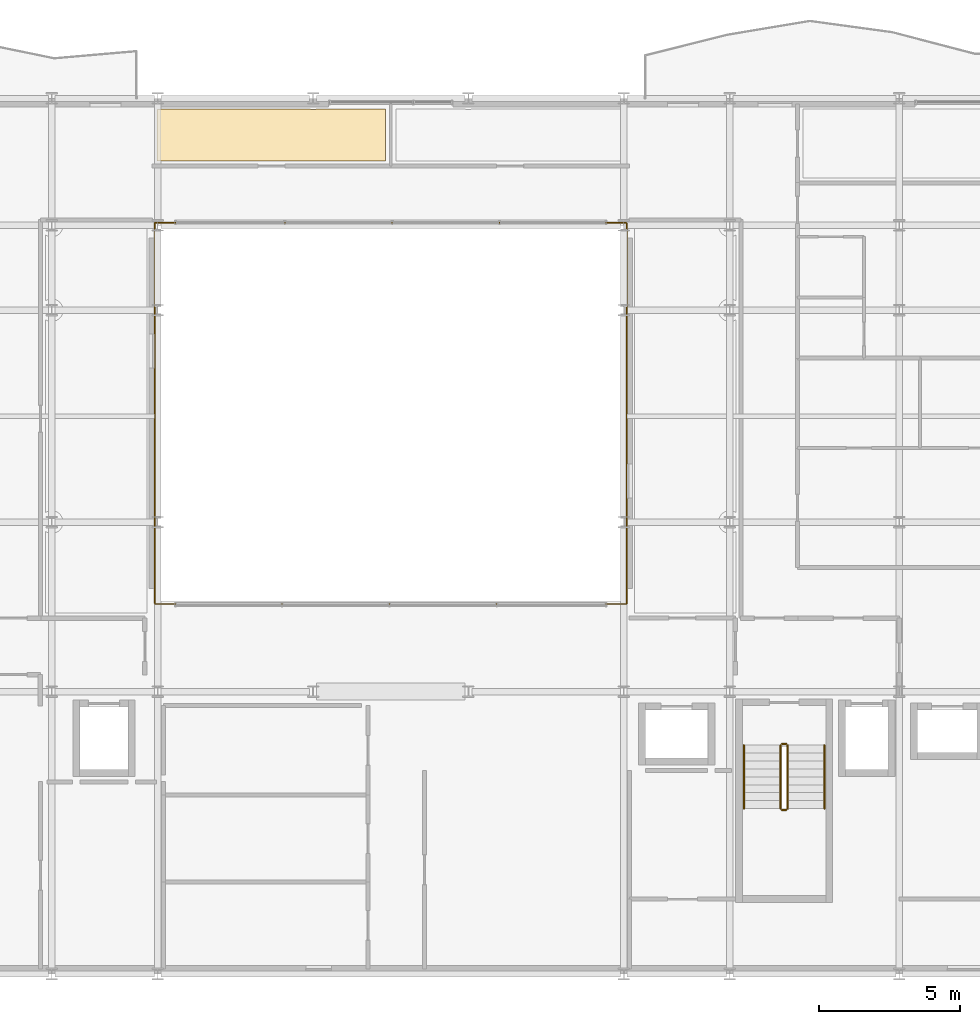
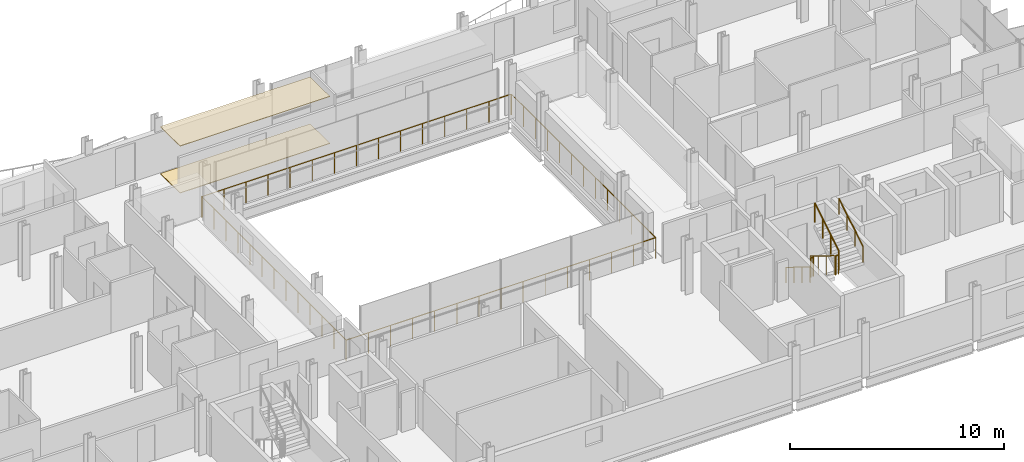
# One storey, part 37 of 38: 8 railings, 2 coverings.
"""IFC4 building model written with IfcOpenShell, lengths in metres."""

from ifc_helpers import new_model, si_unit, direction, frame, origin, origin_2d, place, context, subcontext, project, spatial, polyline, circle, outline, extrude, material, layer, layer_set, type_object, element, save


model = new_model("IFC4")

# Units and contexts
model_context = context("Model", 3, precision=1e-05, world=origin(), true_north=direction((0.0, 1.0)))
body_context = subcontext(model_context, "Body", "Model", "MODEL_VIEW")
ifc_project = project(units=[si_unit("LENGTHUNIT", "METRE"), si_unit("AREAUNIT", "SQUARE_METRE"), si_unit("VOLUMEUNIT", "CUBIC_METRE"), si_unit("PLANEANGLEUNIT", "RADIAN"), si_unit("MASSUNIT", "GRAM", prefix="KILO")], contexts=[model_context])

# Site, building, storey
site_placement = place(None, origin())
site = spatial("IfcSite", under=ifc_project, at=site_placement, CompositionType="ELEMENT")
building_placement = place(site_placement, origin())
building = spatial("IfcBuilding", under=site, at=building_placement, Name="Brevholm Reach", CompositionType="ELEMENT")
storey_placement = place(building_placement, frame((0.0, 0.0, 166.60009765625)))
storey = spatial("IfcBuildingStorey", under=building, at=storey_placement, Name="L50", CompositionType="ELEMENT", Elevation=166.60009765625)

# Coverings
ifc_material_1 = material(Name="Moisture-Resistant Skimmed Gypsum Plasterboard Ceiling", Category="gypsum")
ifc_layer_1 = layer(ifc_material_1, 0.030029296875)
ifc_layer_set_1 = layer_set([ifc_layer_1], Name="Moisture-Resistant Skimmed Gypsum Plasterboard Ceiling")
covering_type_1 = type_object("IfcCoveringType", Name="COV-CLG-GYP", PredefinedType="CEILING", material=ifc_layer_set_1)
covering_1_placement = place(storey_placement, frame((0.0, 0.0, 2.679931640625)))
element("IfcCovering", 1, at=covering_1_placement, inside=storey, type_object=covering_type_1, Name="L50 Suspended Ceiling L50-55", PredefinedType="CEILING", context=body_context, shape_type="SweptSolid", body=[
    extrude(outline(polyline([(27.126220703125, 30.6201171875), (27.1337890625, 30.6171875), (27.172119140625, 30.607666015625), (27.210693359375, 30.601806640625), (27.25, 30.60009765625), (27.289306640625, 30.601806640625), (27.327880859375, 30.607666015625), (27.3662109375, 30.6171875), (27.373779296875, 30.6201171875), (29.820068359375, 30.6201171875), (29.820068359375, 28.783935546875), (21.73388671875, 28.783935546875), (21.73388671875, 30.600830078125), (21.75, 30.60009765625), (21.789306640625, 30.601806640625), (21.827880859375, 30.607666015625), (21.8662109375, 30.6171875), (21.873779296875, 30.6201171875), (27.126220703125, 30.6201171875)])), origin(), (0.0, 0.0, 1.0), 0.030029296875),
])
ifc_material_2 = material(Name="Honed Portland-Aggregate Resin Terrazzo Flooring", Category="concrete")
ifc_layer_2 = layer(ifc_material_2, 0.031982421875)
ifc_layer_set_2 = layer_set([ifc_layer_2], Name="Honed Portland-Aggregate Resin Terrazzo Flooring")
covering_type_2 = type_object("IfcCoveringType", Name="COV-FLR-TRZ", PredefinedType="FLOORING", material=ifc_layer_set_2)
covering_2_placement = place(storey_placement, origin())
element("IfcCovering", 2, at=covering_2_placement, inside=storey, type_object=covering_type_2, Name="L50 Floor Finish L50-55", PredefinedType="FLOORING", context=body_context, shape_type="SweptSolid", body=[
    extrude(outline(polyline([(27.126220703125, 30.6201171875), (27.1337890625, 30.6171875), (27.172119140625, 30.607666015625), (27.210693359375, 30.601806640625), (27.25, 30.60009765625), (27.289306640625, 30.601806640625), (27.327880859375, 30.607666015625), (27.3662109375, 30.6171875), (27.373779296875, 30.6201171875), (29.820068359375, 30.6201171875), (29.820068359375, 28.783935546875), (21.73388671875, 28.783935546875), (21.73388671875, 30.600830078125), (21.75, 30.60009765625), (21.789306640625, 30.601806640625), (21.827880859375, 30.607666015625), (21.8662109375, 30.6171875), (21.873779296875, 30.6201171875), (27.126220703125, 30.6201171875)])), origin(), (0.0, 0.0, 1.0), 0.031982421875),
])

# Railings
ifc_material_3 = material(Name="Brushed Stainless Steel EN 1.4401 Continuous Handrail", Category="steel")
railing_type_1 = type_object("IfcRailingType", Name="RAL-HND-950", PredefinedType="HANDRAIL", material=ifc_material_3)
railing_1_placement = place(storey_placement, frame((42.5, 8.10009765625, 0.172119140625)))
element("IfcRailing", 3, at=railing_1_placement, inside=storey, type_object=railing_type_1, Name="L50 ST-2 stair handrail 1", PredefinedType="HANDRAIL", context=body_context, shape_type="SweptSolid", body=[
    extrude(circle(Radius=0.02392578125, at=origin_2d()), frame((0.0, 0.0, 0.8857421875), z_axis=(0.0, -0.85178898068, 0.523885037382), x_axis=(1.0, 0.0, 0.0)), (0.0, 0.0, 1.0), 2.629638671875),
    extrude(circle(Radius=0.02099609375, at=origin_2d()), origin(), (0.0, 0.0, 1.0), 0.86181640625),
    extrude(circle(Radius=0.02099609375, at=origin_2d()), frame((0.0, -0.74658203125, 0.459228515625)), (0.0, 0.0, 1.0), 0.86181640625),
    extrude(circle(Radius=0.02099609375, at=origin_2d()), frame((0.0, -1.493408203125, 0.91845703125)), (0.0, 0.0, 1.0), 0.86181640625),
    extrude(circle(Radius=0.02099609375, at=origin_2d()), frame((0.0, -2.239990234375, 1.377685546875)), (0.0, 0.0, 1.0), 0.86181640625),
])
railing_2_placement = place(storey_placement, frame((45.35009765625, 5.860107421875, 1.72216796875)))
element("IfcRailing", 4, at=railing_2_placement, inside=storey, type_object=railing_type_1, Name="L50 ST-2 stair handrail 2", PredefinedType="HANDRAIL", context=body_context, shape_type="SweptSolid", body=[
    extrude(circle(Radius=0.02392578125, at=origin_2d()), frame((0.0, 0.0, 0.8857421875), z_axis=(0.0, 0.85178898068, 0.523885037382), x_axis=(-1.0, 0.0, 0.0)), (0.0, 0.0, 1.0), 2.629638671875),
    extrude(circle(Radius=0.02099609375, at=origin_2d()), origin(), (0.0, 0.0, 1.0), 0.86181640625),
    extrude(circle(Radius=0.02099609375, at=origin_2d()), frame((0.0, 0.74658203125, 0.459228515625)), (0.0, 0.0, 1.0), 0.86181640625),
    extrude(circle(Radius=0.02099609375, at=origin_2d()), frame((0.0, 1.493408203125, 0.91845703125)), (0.0, 0.0, 1.0), 0.86181640625),
    extrude(circle(Radius=0.02099609375, at=origin_2d()), frame((0.0, 2.239990234375, 1.377685546875)), (0.0, 0.0, 1.0), 0.86181640625),
])
ifc_material_4 = material(Name="Painted Tubular Galvanised Steel S275JR Stair Guard", Category="steel")
railing_type_2 = type_object("IfcRailingType", Name="RAL-STG-1120", PredefinedType="BALUSTRADE", material=ifc_material_4)
railing_3_placement = place(storey_placement, frame((43.800048828125, 8.10009765625, 0.172119140625)))
element("IfcRailing", 5, at=railing_3_placement, inside=storey, type_object=railing_type_2, Name="L50 ST-2 stair guard 1", PredefinedType="BALUSTRADE", context=body_context, shape_type="SweptSolid", body=[
    extrude(circle(Radius=0.02392578125, at=origin_2d()), frame((0.0, 0.0, 1.076171875), z_axis=(0.0, -0.85178898068, 0.523885037382), x_axis=(1.0, 0.0, 0.0)), (0.0, 0.0, 1.0), 2.629638671875),
    extrude(circle(Radius=0.02099609375, at=origin_2d()), origin(), (0.0, 0.0, 1.0), 1.052001953125),
    extrude(circle(Radius=0.02099609375, at=origin_2d()), frame((0.0, -0.74658203125, 0.459228515625)), (0.0, 0.0, 1.0), 1.052001953125),
    extrude(circle(Radius=0.02099609375, at=origin_2d()), frame((0.0, -1.493408203125, 0.91845703125)), (0.0, 0.0, 1.0), 1.052001953125),
    extrude(circle(Radius=0.02099609375, at=origin_2d()), frame((0.0, -2.239990234375, 1.377685546875)), (0.0, 0.0, 1.0), 1.052001953125),
])
railing_4_placement = place(storey_placement, frame((43.85009765625, 5.81005859375, 1.5498046875)))
element("IfcRailing", 6, at=railing_4_placement, inside=storey, type_object=railing_type_2, Name="L50 ST-2 stair guard 2", PredefinedType="BALUSTRADE", context=body_context, shape_type="SweptSolid", body=[
    extrude(circle(Radius=0.02392578125, at=origin_2d()), frame((0.0, 0.0, 1.076171875), z_axis=(1.0, 0.0, 0.0), x_axis=(0.0, 1.0, 0.0)), (0.0, 0.0, 1.0), 0.14990234375),
    extrude(circle(Radius=0.02099609375, at=origin_2d()), origin(), (0.0, 0.0, 1.0), 1.052001953125),
    extrude(circle(Radius=0.02099609375, at=origin_2d()), frame((0.14990234375, 0.0, 0.0)), (0.0, 0.0, 1.0), 1.052001953125),
])
railing_5_placement = place(storey_placement, frame((44.050048828125, 5.860107421875, 1.72216796875)))
element("IfcRailing", 7, at=railing_5_placement, inside=storey, type_object=railing_type_2, Name="L50 ST-2 stair guard 3", PredefinedType="BALUSTRADE", context=body_context, shape_type="SweptSolid", body=[
    extrude(circle(Radius=0.02392578125, at=origin_2d()), frame((0.0, 0.0, 1.076171875), z_axis=(0.0, 0.85178898068, 0.523885037382), x_axis=(-1.0, 0.0, 0.0)), (0.0, 0.0, 1.0), 2.629638671875),
    extrude(circle(Radius=0.02099609375, at=origin_2d()), origin(), (0.0, 0.0, 1.0), 1.052001953125),
    extrude(circle(Radius=0.02099609375, at=origin_2d()), frame((0.0, 0.74658203125, 0.459228515625)), (0.0, 0.0, 1.0), 1.052001953125),
    extrude(circle(Radius=0.02099609375, at=origin_2d()), frame((0.0, 1.493408203125, 0.91845703125)), (0.0, 0.0, 1.0), 1.052001953125),
    extrude(circle(Radius=0.02099609375, at=origin_2d()), frame((0.0, 2.239990234375, 1.377685546875)), (0.0, 0.0, 1.0), 1.052001953125),
])
railing_6_placement = place(storey_placement, frame((43.85009765625, 8.14990234375, 0.0)))
element("IfcRailing", 8, at=railing_6_placement, inside=storey, type_object=railing_type_2, Name="L50 ST-2 stair guard 4", PredefinedType="BALUSTRADE", context=body_context, shape_type="SweptSolid", body=[
    extrude(circle(Radius=0.02392578125, at=origin_2d()), frame((0.0, 0.0, 1.076171875), z_axis=(1.0, 0.0, 0.0), x_axis=(0.0, 1.0, 0.0)), (0.0, 0.0, 1.0), 0.14990234375),
    extrude(circle(Radius=0.02099609375, at=origin_2d()), origin(), (0.0, 0.0, 1.0), 1.052001953125),
    extrude(circle(Radius=0.02099609375, at=origin_2d()), frame((0.14990234375, 0.0, 0.0)), (0.0, 0.0, 1.0), 1.052001953125),
])
ifc_material_5 = material(Name="Brushed Stainless Steel EN 1.4401 and Laminated Glass", Category="steel")
railing_type_3 = type_object("IfcRailingType", Name="RAL-TERR-1200", PredefinedType="BALUSTRADE", material=ifc_material_5)
railing_7_placement = place(storey_placement, frame((21.64990234375, 13.10009765625, 0.0)))
element("IfcRailing", 9, at=railing_7_placement, inside=storey, type_object=railing_type_3, Name="L50 Guard Balustrade RAL-L50-AT-VOID-SW", PredefinedType="BALUSTRADE", context=body_context, shape_type="SweptSolid", body=[
    extrude(circle(Radius=0.02392578125, at=origin_2d()), frame((0.0, 0.0, 1.17578125), z_axis=(1.0, 0.0, 0.0), x_axis=(0.0, 1.0, 0.0)), (0.0, 0.0, 1.0), 16.7001953125),
    extrude(circle(Radius=0.02392578125, at=origin_2d()), frame((16.7001953125, 0.0, 1.17578125), z_axis=(0.0, 1.0, 0.0), x_axis=(-1.0, 0.0, 0.0)), (0.0, 0.0, 1.0), 13.47998046875),
    extrude(circle(Radius=0.02099609375, at=origin_2d()), origin(), (0.0, 0.0, 1.0), 1.15185546875),
    extrude(circle(Radius=0.02099609375, at=origin_2d()), frame((1.19287109375, 0.0, 0.0)), (0.0, 0.0, 1.0), 1.15185546875),
    extrude(circle(Radius=0.02099609375, at=origin_2d()), frame((2.3857421875, 0.0, 0.0)), (0.0, 0.0, 1.0), 1.15185546875),
    extrude(circle(Radius=0.02099609375, at=origin_2d()), frame((3.57861328125, 0.0, 0.0)), (0.0, 0.0, 1.0), 1.15185546875),
    extrude(circle(Radius=0.02099609375, at=origin_2d()), frame((4.771484375, 0.0, 0.0)), (0.0, 0.0, 1.0), 1.15185546875),
    extrude(circle(Radius=0.02099609375, at=origin_2d()), frame((5.96435546875, 0.0, 0.0)), (0.0, 0.0, 1.0), 1.15185546875),
    extrude(circle(Radius=0.02099609375, at=origin_2d()), frame((7.1572265625, 0.0, 0.0)), (0.0, 0.0, 1.0), 1.15185546875),
    extrude(circle(Radius=0.02099609375, at=origin_2d()), frame((8.35009765625, 0.0, 0.0)), (0.0, 0.0, 1.0), 1.15185546875),
    extrude(circle(Radius=0.02099609375, at=origin_2d()), frame((9.54296875, 0.0, 0.0)), (0.0, 0.0, 1.0), 1.15185546875),
    extrude(circle(Radius=0.02099609375, at=origin_2d()), frame((10.73583984375, 0.0, 0.0)), (0.0, 0.0, 1.0), 1.15185546875),
    extrude(circle(Radius=0.02099609375, at=origin_2d()), frame((11.9287109375, 0.0, 0.0)), (0.0, 0.0, 1.0), 1.15185546875),
    extrude(circle(Radius=0.02099609375, at=origin_2d()), frame((13.12158203125, 0.0, 0.0)), (0.0, 0.0, 1.0), 1.15185546875),
    extrude(circle(Radius=0.02099609375, at=origin_2d()), frame((14.314453125, 0.0, 0.0)), (0.0, 0.0, 1.0), 1.15185546875),
    extrude(circle(Radius=0.02099609375, at=origin_2d()), frame((15.50732421875, 0.0, 0.0)), (0.0, 0.0, 1.0), 1.15185546875),
    extrude(circle(Radius=0.02099609375, at=origin_2d()), frame((16.7001953125, 0.0, 0.0)), (0.0, 0.0, 1.0), 1.15185546875),
    extrude(circle(Radius=0.02099609375, at=origin_2d()), frame((16.7001953125, 1.123291015625, 0.0)), (0.0, 0.0, 1.0), 1.15185546875),
    extrude(circle(Radius=0.02099609375, at=origin_2d()), frame((16.7001953125, 2.24658203125, 0.0)), (0.0, 0.0, 1.0), 1.15185546875),
    extrude(circle(Radius=0.02099609375, at=origin_2d()), frame((16.7001953125, 3.3701171875, 0.0)), (0.0, 0.0, 1.0), 1.15185546875),
    extrude(circle(Radius=0.02099609375, at=origin_2d()), frame((16.7001953125, 4.493408203125, 0.0)), (0.0, 0.0, 1.0), 1.15185546875),
    extrude(circle(Radius=0.02099609375, at=origin_2d()), frame((16.7001953125, 5.61669921875, 0.0)), (0.0, 0.0, 1.0), 1.15185546875),
    extrude(circle(Radius=0.02099609375, at=origin_2d()), frame((16.7001953125, 6.739990234375, 0.0)), (0.0, 0.0, 1.0), 1.15185546875),
    extrude(circle(Radius=0.02099609375, at=origin_2d()), frame((16.7001953125, 7.86328125, 0.0)), (0.0, 0.0, 1.0), 1.15185546875),
    extrude(circle(Radius=0.02099609375, at=origin_2d()), frame((16.7001953125, 8.986572265625, 0.0)), (0.0, 0.0, 1.0), 1.15185546875),
    extrude(circle(Radius=0.02099609375, at=origin_2d()), frame((16.7001953125, 10.10986328125, 0.0)), (0.0, 0.0, 1.0), 1.15185546875),
    extrude(circle(Radius=0.02099609375, at=origin_2d()), frame((16.7001953125, 11.2333984375, 0.0)), (0.0, 0.0, 1.0), 1.15185546875),
    extrude(circle(Radius=0.02099609375, at=origin_2d()), frame((16.7001953125, 12.356689453125, 0.0)), (0.0, 0.0, 1.0), 1.15185546875),
    extrude(circle(Radius=0.02099609375, at=origin_2d()), frame((16.7001953125, 13.47998046875, 0.0)), (0.0, 0.0, 1.0), 1.15185546875),
])
railing_8_placement = place(storey_placement, frame((38.330078125, 26.60009765625, 0.0)))
element("IfcRailing", 10, at=railing_8_placement, inside=storey, type_object=railing_type_3, Name="L50 Guard Balustrade RAL-L50-AT-VOID-NE", PredefinedType="BALUSTRADE", context=body_context, shape_type="SweptSolid", body=[
    extrude(circle(Radius=0.02392578125, at=origin_2d()), frame((0.0, 0.0, 1.17578125), z_axis=(-1.0, 0.0, 0.0), x_axis=(0.0, -1.0, 0.0)), (0.0, 0.0, 1.0), 16.68017578125),
    extrude(circle(Radius=0.02392578125, at=origin_2d()), frame((-16.68017578125, 0.0, 1.17578125), z_axis=(0.0, -1.0, 0.0), x_axis=(1.0, 0.0, 0.0)), (0.0, 0.0, 1.0), 13.47998046875),
    extrude(circle(Radius=0.02099609375, at=origin_2d()), origin(), (0.0, 0.0, 1.0), 1.15185546875),
    extrude(circle(Radius=0.02099609375, at=origin_2d()), frame((-1.19140625, 0.0, 0.0)), (0.0, 0.0, 1.0), 1.15185546875),
    extrude(circle(Radius=0.02099609375, at=origin_2d()), frame((-2.3828125, 0.0, 0.0)), (0.0, 0.0, 1.0), 1.15185546875),
    extrude(circle(Radius=0.02099609375, at=origin_2d()), frame((-3.57421875, 0.0, 0.0)), (0.0, 0.0, 1.0), 1.15185546875),
    extrude(circle(Radius=0.02099609375, at=origin_2d()), frame((-4.765869140625, 0.0, 0.0)), (0.0, 0.0, 1.0), 1.15185546875),
    extrude(circle(Radius=0.02099609375, at=origin_2d()), frame((-5.957275390625, 0.0, 0.0)), (0.0, 0.0, 1.0), 1.15185546875),
    extrude(circle(Radius=0.02099609375, at=origin_2d()), frame((-7.148681640625, 0.0, 0.0)), (0.0, 0.0, 1.0), 1.15185546875),
    extrude(circle(Radius=0.02099609375, at=origin_2d()), frame((-8.340087890625, 0.0, 0.0)), (0.0, 0.0, 1.0), 1.15185546875),
    extrude(circle(Radius=0.02099609375, at=origin_2d()), frame((-9.531494140625, 0.0, 0.0)), (0.0, 0.0, 1.0), 1.15185546875),
    extrude(circle(Radius=0.02099609375, at=origin_2d()), frame((-10.722900390625, 0.0, 0.0)), (0.0, 0.0, 1.0), 1.15185546875),
    extrude(circle(Radius=0.02099609375, at=origin_2d()), frame((-11.914306640625, 0.0, 0.0)), (0.0, 0.0, 1.0), 1.15185546875),
    extrude(circle(Radius=0.02099609375, at=origin_2d()), frame((-13.10595703125, 0.0, 0.0)), (0.0, 0.0, 1.0), 1.15185546875),
    extrude(circle(Radius=0.02099609375, at=origin_2d()), frame((-14.29736328125, 0.0, 0.0)), (0.0, 0.0, 1.0), 1.15185546875),
    extrude(circle(Radius=0.02099609375, at=origin_2d()), frame((-15.48876953125, 0.0, 0.0)), (0.0, 0.0, 1.0), 1.15185546875),
    extrude(circle(Radius=0.02099609375, at=origin_2d()), frame((-16.68017578125, 0.0, 0.0)), (0.0, 0.0, 1.0), 1.15185546875),
    extrude(circle(Radius=0.02099609375, at=origin_2d()), frame((-16.68017578125, -1.123291015625, 0.0)), (0.0, 0.0, 1.0), 1.15185546875),
    extrude(circle(Radius=0.02099609375, at=origin_2d()), frame((-16.68017578125, -2.24658203125, 0.0)), (0.0, 0.0, 1.0), 1.15185546875),
    extrude(circle(Radius=0.02099609375, at=origin_2d()), frame((-16.68017578125, -3.3701171875, 0.0)), (0.0, 0.0, 1.0), 1.15185546875),
    extrude(circle(Radius=0.02099609375, at=origin_2d()), frame((-16.68017578125, -4.493408203125, 0.0)), (0.0, 0.0, 1.0), 1.15185546875),
    extrude(circle(Radius=0.02099609375, at=origin_2d()), frame((-16.68017578125, -5.61669921875, 0.0)), (0.0, 0.0, 1.0), 1.15185546875),
    extrude(circle(Radius=0.02099609375, at=origin_2d()), frame((-16.68017578125, -6.739990234375, 0.0)), (0.0, 0.0, 1.0), 1.15185546875),
    extrude(circle(Radius=0.02099609375, at=origin_2d()), frame((-16.68017578125, -7.86328125, 0.0)), (0.0, 0.0, 1.0), 1.15185546875),
    extrude(circle(Radius=0.02099609375, at=origin_2d()), frame((-16.68017578125, -8.986572265625, 0.0)), (0.0, 0.0, 1.0), 1.15185546875),
    extrude(circle(Radius=0.02099609375, at=origin_2d()), frame((-16.68017578125, -10.10986328125, 0.0)), (0.0, 0.0, 1.0), 1.15185546875),
    extrude(circle(Radius=0.02099609375, at=origin_2d()), frame((-16.68017578125, -11.2333984375, 0.0)), (0.0, 0.0, 1.0), 1.15185546875),
    extrude(circle(Radius=0.02099609375, at=origin_2d()), frame((-16.68017578125, -12.356689453125, 0.0)), (0.0, 0.0, 1.0), 1.15185546875),
    extrude(circle(Radius=0.02099609375, at=origin_2d()), frame((-16.68017578125, -13.47998046875, 0.0)), (0.0, 0.0, 1.0), 1.15185546875),
])

save(model, "model.ifc")
